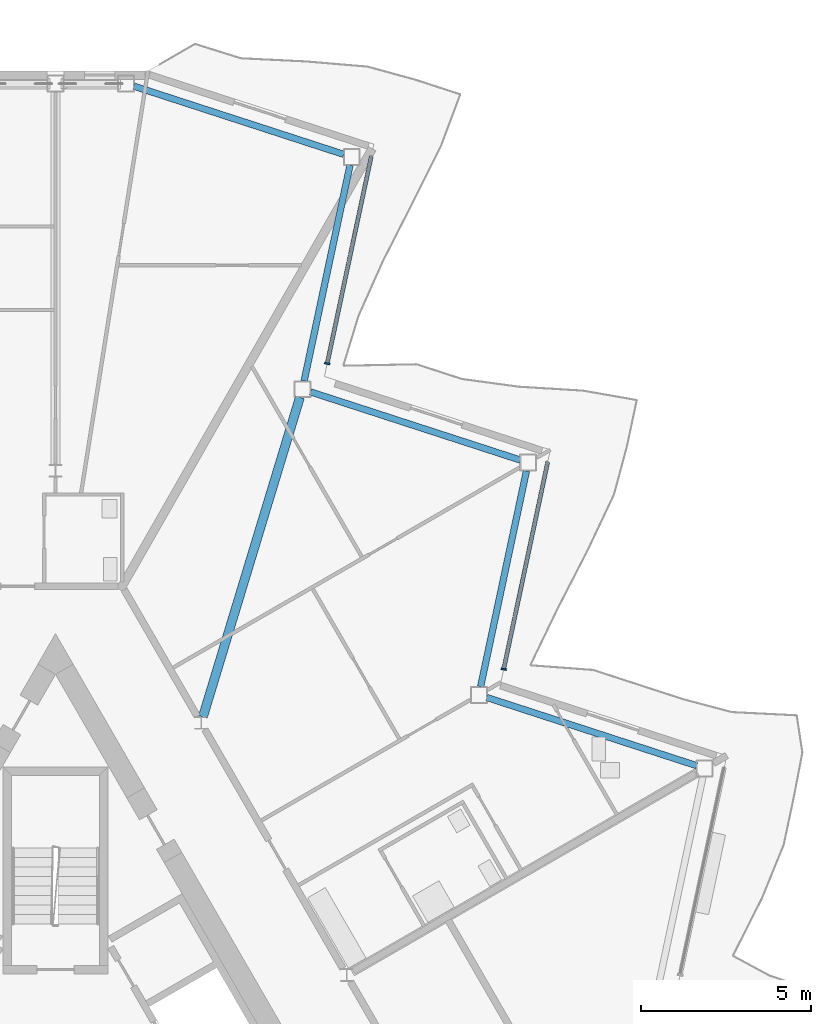
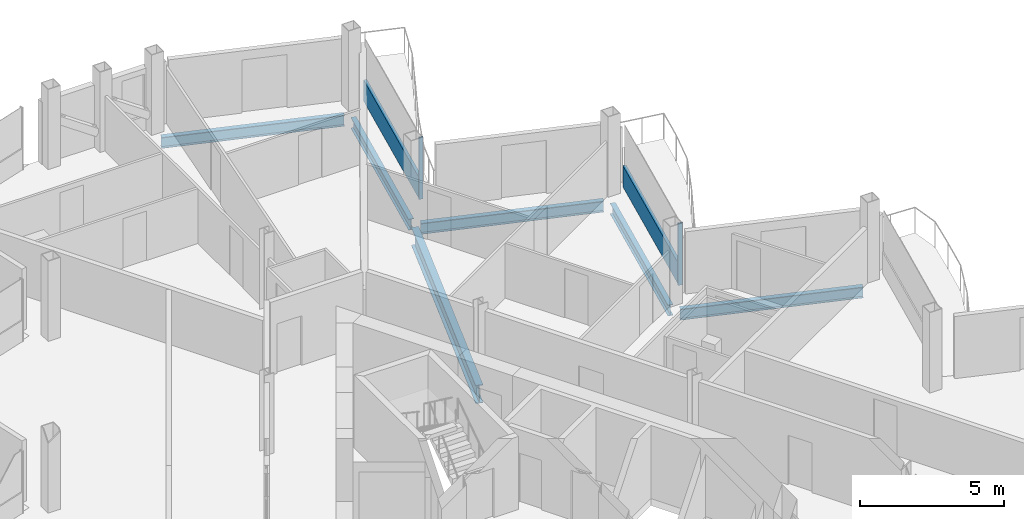
# One storey, part 10 of 26: 6 beams, 4 members, 2 elements without a shape of their own.
"""IFC4 building model written with IfcOpenShell, lengths in metres."""

from ifc_helpers import new_model, si_unit, direction, frame, origin, origin_2d, place, context, subcontext, project, spatial, rectangle, i_section, extrude, material, layer, layer_set, material_profile, profile_set, type_object, element, aggregate, save


model = new_model("IFC4")

# Units and contexts
model_context = context("Model", 3, precision=1e-05, world=origin(), true_north=direction((0.0, 1.0)))
body_context = subcontext(model_context, "Body", "Model", "MODEL_VIEW")
ifc_project = project(units=[si_unit("LENGTHUNIT", "METRE"), si_unit("AREAUNIT", "SQUARE_METRE"), si_unit("VOLUMEUNIT", "CUBIC_METRE"), si_unit("PLANEANGLEUNIT", "RADIAN"), si_unit("MASSUNIT", "GRAM", prefix="KILO")], contexts=[model_context])

# Site, building, storey
site_placement = place(None, origin())
site = spatial("IfcSite", under=ifc_project, at=site_placement, CompositionType="ELEMENT")
building_placement = place(site_placement, origin())
building = spatial("IfcBuilding", under=site, at=building_placement, Name="Cormorant Prow Tower", CompositionType="ELEMENT")
storey_placement = place(building_placement, frame((0.0, 0.0, 364.39990234375)))
storey = spatial("IfcBuildingStorey", under=building, at=storey_placement, Name="L81", CompositionType="ELEMENT", Elevation=364.39990234375)

# Beam
ifc_material_1 = material(Name="Structural steel ASTM A992 Gr 50", Category="steel")
ifc_material_profile_1 = material_profile(ifc_material_1, i_section(OverallWidth=0.267822265625, OverallDepth=0.77001953125, WebThickness=0.015625, FlangeThickness=0.025390625, at=origin_2d()), Name="W30x132")
ifc_profile_set_1 = profile_set([ifc_material_profile_1], Name="Structural steel ASTM A992 Gr 50")
beam_type_1 = type_object("IfcBeamType", Name="Radial floor beam W30x132", PredefinedType="BEAM", material=ifc_profile_set_1)
beam_1_placement = place(storey_placement, frame((4.343505859375, 12.560791015625, -0.684814453125), z_axis=(0.290499864147, 0.956875033079, 0.0), x_axis=(-0.956875033079, 0.290499864147, 0.0)))
element("IfcBeam", 1, at=beam_1_placement, inside=storey, type_object=beam_type_1, Name="Radial floor beam FB3 12 L81", PredefinedType="BEAM", context=body_context, shape_type="SweptSolid", body=[
    extrude(i_section(OverallWidth=0.267822265625, OverallDepth=0.77001953125, WebThickness=0.015625, FlangeThickness=0.025390625, at=origin_2d()), origin(), (0.0, 0.0, 1.0), 9.837158203125),
])

# Curtain wall, member
ifc_material_2 = material(Name="Aluminium 6063-T6", Category="aluminium")
ifc_layer = layer(ifc_material_2, 0.159912109375)
ifc_layer_set = layer_set([ifc_layer], Name="Aluminium 6063-T6")
curtain_wall_type = type_object("IfcCurtainWallType", Name="Residential unitised curtain wall 160", PredefinedType="NOTDEFINED", material=ifc_layer_set)
curtain_wall_1_placement = place(storey_placement, origin())
curtain_wall_1 = element("IfcCurtainWall", 2, at=curtain_wall_1_placement, inside=storey, type_object=curtain_wall_type, Name="Residential curtain wall ENE06", PredefinedType="NOTDEFINED")
ifc_material_3 = material(Name="Aluminium 6063-T6", Category="aluminium")
ifc_material_profile_2 = material_profile(ifc_material_3, rectangle(XDim=0.159912109375, YDim=0.050048828125, at=origin_2d()), Name="Residential mullion 50x160")
ifc_profile_set_2 = profile_set([ifc_material_profile_2], Name="Aluminium 6063-T6")
member_type_1 = type_object("IfcMemberType", Name="Residential mullion 50x160", PredefinedType="MULLION", material=ifc_profile_set_2)
member_1_placement = place(storey_placement, frame((13.2060546875, 13.96435546875, 0.0), z_axis=(0.0, 0.0, 1.0), x_axis=(-0.978147586701, 0.207911756835, 0.0)))
member_1 = element("IfcMember", 3, at=member_1_placement, type_object=member_type_1, Name="Residential mullion ENE06", PredefinedType="MULLION", context=body_context, shape_type="SweptSolid", body=[
    extrude(rectangle(XDim=0.159912109375, YDim=0.050048828125, at=origin_2d()), origin(), (0.0, 0.0, 1.0), 2.634033203125),
])

curtain_wall_2_placement = place(storey_placement, origin())
curtain_wall_2 = element("IfcCurtainWall", 4, at=curtain_wall_2_placement, inside=storey, type_object=curtain_wall_type, Name="Residential curtain wall ENE08", PredefinedType="NOTDEFINED")
member_2_placement = place(storey_placement, frame((8.006103515625, 22.97119140625, 0.0), z_axis=(0.0, 0.0, 1.0), x_axis=(-0.978147586701, 0.207911756835, 0.0)))
member_2 = element("IfcMember", 5, at=member_2_placement, type_object=member_type_1, Name="Residential mullion ENE08", PredefinedType="MULLION", context=body_context, shape_type="SweptSolid", body=[
    extrude(rectangle(XDim=0.159912109375, YDim=0.050048828125, at=origin_2d()), origin(), (0.0, 0.0, 1.0), 2.634033203125),
])

# Member
ifc_material_4 = material(Name="Terracotta", Category="masonry")
ifc_material_profile_3 = material_profile(ifc_material_4, rectangle(XDim=0.1201171875, YDim=0.89990234375, at=origin_2d()), Name="Residential terracotta spandrel rail 120x900")
ifc_profile_set_3 = profile_set([ifc_material_profile_3], Name="Terracotta")
member_type_2 = type_object("IfcMemberType", Name="Residential terracotta spandrel rail 120x900", PredefinedType="USERDEFINED", material=ifc_profile_set_3)
member_3_placement = place(storey_placement, frame((13.211181640625, 13.989013671875, 0.4501953125), z_axis=(0.207916541247, 0.978146569731, 0.0), x_axis=(-0.978146569731, 0.207916541247, 0.0)))
member_3 = element("IfcMember", 6, at=member_3_placement, type_object=member_type_2, Name="Residential spandrel rail ENE06", ObjectType="TRANSOM", PredefinedType="USERDEFINED", context=body_context, shape_type="SweptSolid", body=[
    extrude(rectangle(XDim=0.1201171875, YDim=0.89990234375, at=origin_2d()), origin(), (0.0, 0.0, 1.0), 6.215087890625),
])

aggregate(curtain_wall_1, [member_1, member_3])

member_4_placement = place(storey_placement, frame((8.01123046875, 22.99560546875, 0.4501953125), z_axis=(0.207916541247, 0.978146569731, 0.0), x_axis=(-0.978146569731, 0.207916541247, 0.0)))
member_4 = element("IfcMember", 7, at=member_4_placement, type_object=member_type_2, Name="Residential spandrel rail ENE08", ObjectType="TRANSOM", PredefinedType="USERDEFINED", context=body_context, shape_type="SweptSolid", body=[
    extrude(rectangle(XDim=0.1201171875, YDim=0.89990234375, at=origin_2d()), origin(), (0.0, 0.0, 1.0), 6.215087890625),
])

aggregate(curtain_wall_2, [member_2, member_4])

# Beams
ifc_material_5 = material(Name="Structural steel ASTM A992 Gr 50", Category="steel")
ifc_material_profile_4 = material_profile(ifc_material_5, i_section(OverallWidth=0.19287109375, OverallDepth=0.466064453125, WebThickness=0.011474609375, FlangeThickness=0.01904296875, at=origin_2d()), Name="W18x65")
ifc_profile_set_4 = profile_set([ifc_material_profile_4], Name="Structural steel ASTM A992 Gr 50")
beam_type_2 = type_object("IfcBeamType", Name="Spandrel beam W18x65", PredefinedType="SPANDREL", material=ifc_profile_set_4)
beam_2_placement = place(storey_placement, frame((18.890869140625, 11.12109375, -0.532958984375), z_axis=(-0.951053396625, 0.309026595569, 0.0), x_axis=(-0.309026595569, -0.951053396625, 0.0)))
element("IfcBeam", 8, at=beam_2_placement, inside=storey, type_object=beam_type_2, Name="Spandrel beam SB4 ENE05-ENE06 L81", PredefinedType="SPANDREL", context=body_context, shape_type="SweptSolid", body=[
    extrude(i_section(OverallWidth=0.19287109375, OverallDepth=0.466064453125, WebThickness=0.011474609375, FlangeThickness=0.01904296875, at=origin_2d()), origin(), (0.0, 0.0, 1.0), 6.497314453125),
])
beam_3_placement = place(storey_placement, frame((12.52587890625, 13.45068359375, -0.532958984375), z_axis=(0.207901897373, 0.978149682344, 0.0), x_axis=(-0.978149682344, 0.207901897373, 0.0)))
element("IfcBeam", 9, at=beam_3_placement, inside=storey, type_object=beam_type_2, Name="Spandrel beam SB4 ENE06-ENE07 L81", PredefinedType="SPANDREL", context=body_context, shape_type="SweptSolid", body=[
    extrude(i_section(OverallWidth=0.19287109375, OverallDepth=0.466064453125, WebThickness=0.011474609375, FlangeThickness=0.01904296875, at=origin_2d()), origin(), (0.0, 0.0, 1.0), 6.49755859375),
])
beam_4_placement = place(storey_placement, frame((13.69091796875, 20.1279296875, -0.532958984375), z_axis=(-0.951068027308, 0.308981564875, 0.0), x_axis=(-0.308981564875, -0.951068027308, 0.0)))
element("IfcBeam", 10, at=beam_4_placement, inside=storey, type_object=beam_type_2, Name="Spandrel beam SB4 ENE07-ENE08 L81", PredefinedType="SPANDREL", context=body_context, shape_type="SweptSolid", body=[
    extrude(i_section(OverallWidth=0.19287109375, OverallDepth=0.466064453125, WebThickness=0.011474609375, FlangeThickness=0.01904296875, at=origin_2d()), origin(), (0.0, 0.0, 1.0), 6.497314453125),
])
for number, where, z_axis, x_axis, name in (
    (11, (7.32568359375, 22.457275390625, -0.532958984375), (0.20793784774, 0.978142040543, 0.0), (-0.978142040543, 0.20793784774, 0.0), "Spandrel beam SB4 ENE08-ENE09 L81"),
    (12, (8.490966796875, 29.134521484375, -0.532958984375), (-0.951056984862, 0.30901555227, 0.0), (-0.30901555227, -0.951056984862, 0.0), "Spandrel beam SB4 ENE09-N00 L81"),
):
    element("IfcBeam", number, at=place(storey_placement, frame(where, z_axis=z_axis, x_axis=x_axis)), inside=storey, type_object=beam_type_2, Name=name, PredefinedType="SPANDREL", context=body_context, shape_type="SweptSolid", body=[
        extrude(i_section(OverallWidth=0.19287109375, OverallDepth=0.466064453125, WebThickness=0.011474609375, FlangeThickness=0.01904296875, at=origin_2d()), origin(), (0.0, 0.0, 1.0), 6.49755859375),
    ])

save(model, "model.ifc")
